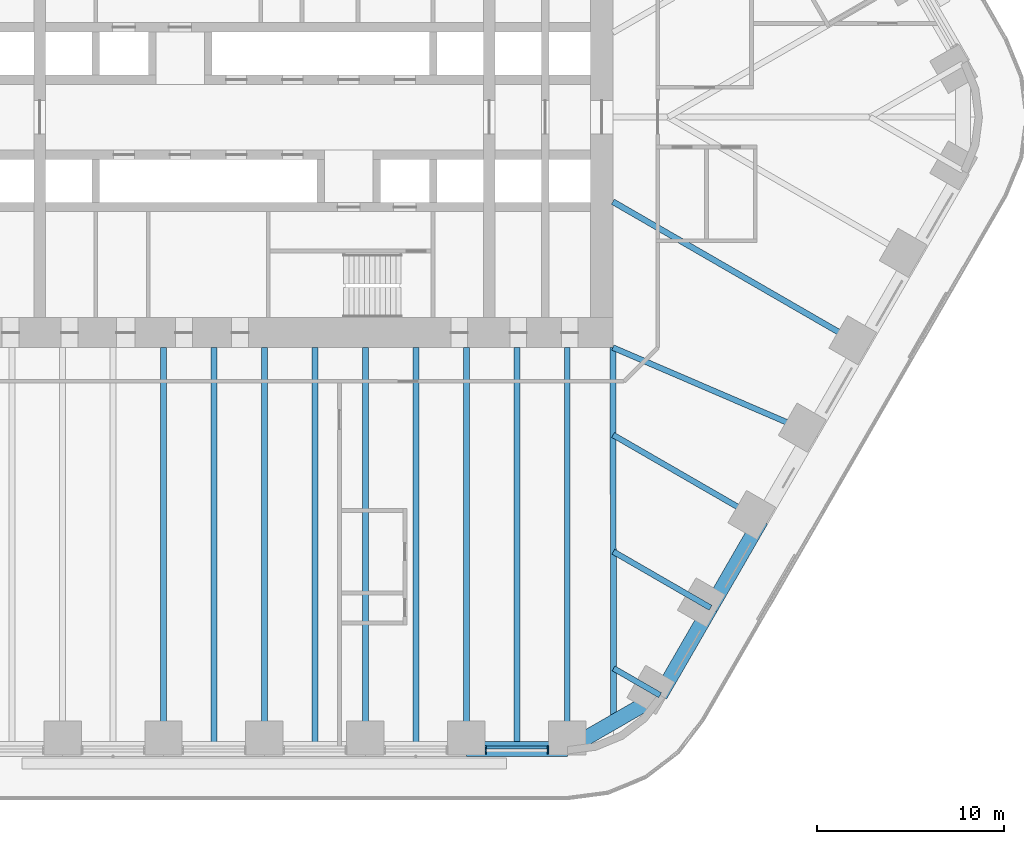
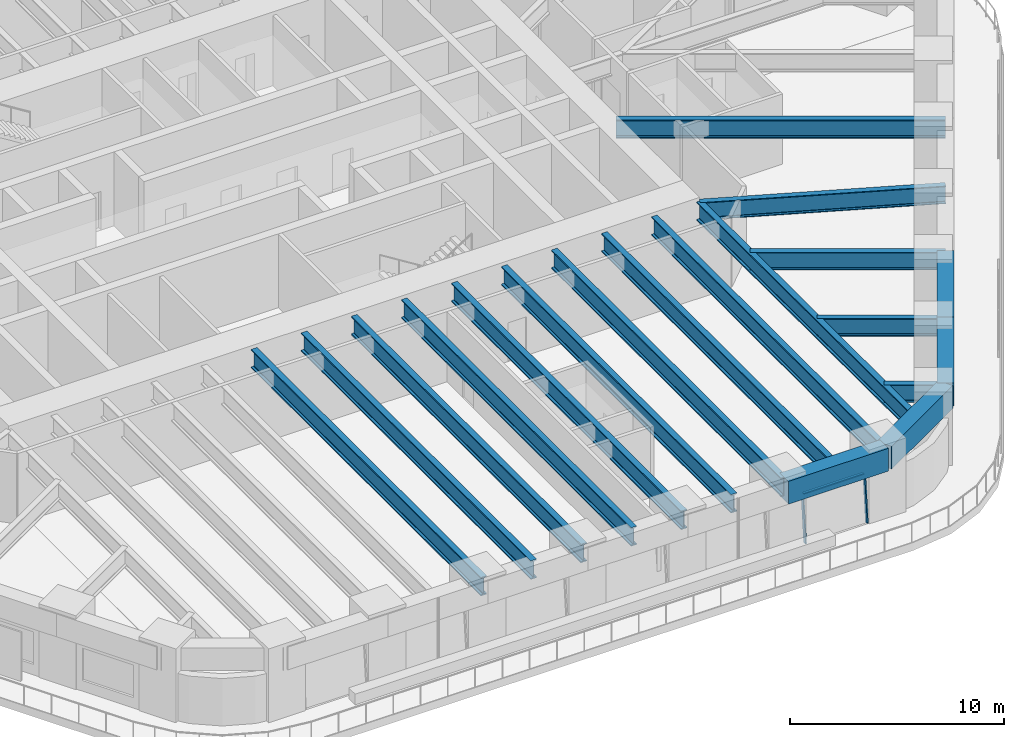
# One storey, part 5 of 23: 19 beams, 3 members, 1 element without a shape of its own.
"""IFC4 building model written with IfcOpenShell, lengths in metres."""

import ifcopenshell
import ifcopenshell.guid

model = None  # the IFC model being written
_history = None  # IfcOwnerHistory: only IFC2X3 demands one
_inside = {}  # id of a spatial element -> (the spatial element, [elements in it])
_under = {}  # id of a project, library or spatial element -> (it, [spatial elements below it])
_declared = {}  # id of a project -> (the project, [libraries it declares])
_typed = {}  # id of a type object -> (the type object, [elements of that type])
_made_of = {}  # id of a material, layer set ... -> (it, [elements and type objects made of it])


def new_model(schema):
    """Start an empty IFC model of exactly this schema.

    Asked for "IFC4X3", IfcOpenShell would pick the latest addendum, in which some entities
    have other attributes; the version numbers below select the first issue.
    IFC2X3 requires an IfcOwnerHistory on every rooted entity: one is made here for all.
    """
    global model, _history
    if schema == "IFC4X3":
        model = ifcopenshell.file(schema_version=(4, 3, 0, 0))
    else:
        model = ifcopenshell.file(schema=schema)
    _inside.clear()
    _under.clear()
    _declared.clear()
    _typed.clear()
    _made_of.clear()
    _history = None
    if model.schema == "IFC2X3":
        org = make("IfcOrganization", Name="unknown")
        user = make(
            "IfcPersonAndOrganization",
            ThePerson=make("IfcPerson", FamilyName="unknown"),
            TheOrganization=org,
        )
        app = make(
            "IfcApplication",
            ApplicationDeveloper=org,
            Version="unknown",
            ApplicationFullName="unknown",
            ApplicationIdentifier="unknown",
        )
        _history = make(
            "IfcOwnerHistory",
            OwningUser=user,
            OwningApplication=app,
            ChangeAction="ADDED",
            CreationDate=0,
        )
    return model


def make(cls, **values):
    """One entity of the class cls with the attributes given. An attribute that is None is left unset."""
    return model.create_entity(
        cls, **{name: value for name, value in values.items() if value is not None}
    )


def rooted(cls, **values):
    """An entity with a GlobalId (a new one), such as an element, a storey or a relation."""
    return make(cls, GlobalId=ifcopenshell.guid.new(), OwnerHistory=_history, **values)


def si_unit(unit_type, name, prefix=None):
    """IfcSIUnit, for example si_unit("LENGTHUNIT", "METRE", prefix="MILLI")."""
    return make("IfcSIUnit", UnitType=unit_type, Prefix=prefix, Name=name)


def assignment(units):
    """IfcUnitAssignment: the units of a project."""
    return None if units is None else make("IfcUnitAssignment", Units=units)


def point(xyz):
    """IfcCartesianPoint."""
    return None if xyz is None else make("IfcCartesianPoint", Coordinates=xyz)


def direction(xyz):
    """IfcDirection."""
    return None if xyz is None else make("IfcDirection", DirectionRatios=xyz)


def frame(location, z_axis=None, x_axis=None):
    """IfcAxis2Placement3D, a coordinate frame: its origin and axes. An axis left out is left unset."""
    return make(
        "IfcAxis2Placement3D",
        Location=point(location),
        Axis=direction(z_axis),
        RefDirection=direction(x_axis),
    )


def frame_2d(location, x_axis=None):
    """IfcAxis2Placement2D, a coordinate frame in the plane: its origin and x axis."""
    return make(
        "IfcAxis2Placement2D", Location=point(location), RefDirection=direction(x_axis)
    )


def origin():
    """The frame at (0, 0, 0) with its axes left unset."""
    return frame((0.0, 0.0, 0.0))


def origin_2d():
    """The frame at (0, 0) in the plane with its x axis left unset."""
    return frame_2d((0.0, 0.0))


def place(relative_to, where):
    """IfcLocalPlacement: puts the frame where relative to a parent placement (None: the world)."""
    return make(
        "IfcLocalPlacement", PlacementRelTo=relative_to, RelativePlacement=where
    )


def context(
    kind, dimensions, precision=None, world=None, true_north=None, identifier=None
):
    """IfcGeometricRepresentationContext, for example the 3D "Model" context."""
    return make(
        "IfcGeometricRepresentationContext",
        ContextIdentifier=identifier,
        ContextType=kind,
        CoordinateSpaceDimension=dimensions,
        Precision=precision,
        WorldCoordinateSystem=world,
        TrueNorth=true_north,
    )


def subcontext(parent, identifier, kind, view, scale=None):
    """IfcGeometricRepresentationSubContext, for example "Body" below "Model"."""
    return make(
        "IfcGeometricRepresentationSubContext",
        ContextIdentifier=identifier,
        ContextType=kind,
        ParentContext=parent,
        TargetScale=scale,
        TargetView=view,
    )


def project(units=None, contexts=None):
    """IfcProject with its units and contexts."""
    return rooted(
        "IfcProject",
        Name="project",
        RepresentationContexts=contexts,
        UnitsInContext=assignment(units),
    )


def spatial(cls, under=None, at=None, **own):
    """A site, building, storey or space (cls), placed at a placement, below another one or the project."""
    s = rooted(cls, ObjectPlacement=at, **own)
    if under is not None:
        _under.setdefault(under.id(), (under, []))[1].append(s)
    return s


def profile(cls, at=None, kind="AREA", **sizes):
    """A parametric profile (cls). Its sizes go by their IFC names, for example OverallWidth=200.0."""
    return make(cls, ProfileType=kind, Position=at, **sizes)


def rectangle(**sizes):
    """IfcRectangleProfileDef."""
    return profile("IfcRectangleProfileDef", **sizes)


def i_section(**sizes):
    """IfcIShapeProfileDef."""
    return profile("IfcIShapeProfileDef", **sizes)


def extrude(swept, where, along, depth):
    """IfcExtrudedAreaSolid: the profile swept, set in the frame where, extruded along a direction by depth."""
    return make(
        "IfcExtrudedAreaSolid",
        SweptArea=swept,
        Position=where,
        ExtrudedDirection=direction(along),
        Depth=depth,
    )


def shape(context_of_items, identifier, shape_type, items):
    """IfcShapeRepresentation: the items that make up one representation, for example the "Body"."""
    return make(
        "IfcShapeRepresentation",
        ContextOfItems=context_of_items,
        RepresentationIdentifier=identifier,
        RepresentationType=shape_type,
        Items=items,
    )


def material(Name=None, Category=None):
    """IfcMaterial."""
    return make("IfcMaterial", Name=Name, Category=Category)


def material_profile(
    of_material, cross_section, Name=None, Category=None, Priority=None
):
    """IfcMaterialProfile: a cross section and its material."""
    return make(
        "IfcMaterialProfile",
        Name=Name,
        Material=of_material,
        Profile=cross_section,
        Priority=Priority,
        Category=Category,
    )


def profile_set(profiles, Name=None, composite=None):
    """IfcMaterialProfileSet."""
    return make(
        "IfcMaterialProfileSet",
        Name=Name,
        MaterialProfiles=profiles,
        CompositeProfile=composite,
    )


def made_of(thing, what):
    """Note that an element or type object is made of a material, layer set ...; save() writes the relation."""
    if what is not None:
        _made_of.setdefault(what.id(), (what, []))[1].append(thing)
    return thing


def type_object(cls, material=None, **own):
    """A type object (cls), such as IfcWallType, which elements share."""
    return made_of(rooted(cls, **own), material)


def element(
    cls,
    number,
    at=None,
    inside=None,
    cuts=None,
    type_object=None,
    material=None,
    context=None,
    identifier="Body",
    shape_type=None,
    held_by="IfcProductDefinitionShape",
    body=None,
    shapes=None,
    **own,
):
    """One element of the class cls, such as IfcWall. Its Tag is "e" and its number.

    at: its placement. inside: the storey or other place that contains it. cuts: it is an
    opening in that element (IfcRelVoidsElement). A single representation is given by context,
    identifier, shape_type and body (its items); several are given by shapes. held_by: the class
    of the entity that holds the representations. save() writes the other relations.
    """
    e = rooted(cls, Tag="e%d" % number, ObjectPlacement=at, **own)
    if body is not None:
        shapes = [shape(context, identifier, shape_type, body)]
    if shapes is not None:
        e.Representation = make(held_by, Representations=shapes)
    if inside is not None:
        _inside.setdefault(inside.id(), (inside, []))[1].append(e)
    if cuts is not None:
        rooted(
            "IfcRelVoidsElement", RelatingBuildingElement=cuts, RelatedOpeningElement=e
        )
    if type_object is not None:
        _typed.setdefault(type_object.id(), (type_object, []))[1].append(e)
    return made_of(e, material)


def aggregate(whole, parts):
    """IfcRelAggregates: a whole, such as a stair, and the parts it consists of."""
    return rooted("IfcRelAggregates", RelatingObject=whole, RelatedObjects=parts)


def save(model, path):
    """Write the relations noted so far, then the file.

    IfcRelAggregates (storeys below a building ...), IfcRelContainedInSpatialStructure (elements
    in a storey), IfcRelDefinesByType, IfcRelAssociatesMaterial and IfcRelDeclares: one each for
    every whole, place, type object, material and project.
    """
    for whole, parts in _under.values():
        aggregate(whole, parts)
    for where, things in _inside.values():
        rooted(
            "IfcRelContainedInSpatialStructure",
            RelatedElements=things,
            RelatingStructure=where,
        )
    for kind, things in _typed.values():
        rooted("IfcRelDefinesByType", RelatedObjects=things, RelatingType=kind)
    for what, things in _made_of.values():
        rooted("IfcRelAssociatesMaterial", RelatedObjects=things, RelatingMaterial=what)
    for by, libraries in _declared.values():
        rooted("IfcRelDeclares", RelatingContext=by, RelatedDefinitions=libraries)
    model.write(path)


model = new_model("IFC4")

# Units and contexts
model_context = context("Model", 3, precision=1e-05, world=origin(), true_north=direction((0.0, 1.0)))
body_context = subcontext(model_context, "Body", "Model", "MODEL_VIEW")
ifc_project = project(units=[si_unit("LENGTHUNIT", "METRE"), si_unit("AREAUNIT", "SQUARE_METRE"), si_unit("VOLUMEUNIT", "CUBIC_METRE"), si_unit("PLANEANGLEUNIT", "RADIAN"), si_unit("MASSUNIT", "GRAM", prefix="KILO")], contexts=[model_context])

# Site, building, storey
site_placement = place(None, origin())
site = spatial("IfcSite", under=ifc_project, at=site_placement, CompositionType="ELEMENT")
building_placement = place(site_placement, origin())
building = spatial("IfcBuilding", under=site, at=building_placement, Name="Tarfa Lantern Tower", CompositionType="ELEMENT")
storey_placement = place(building_placement, frame((0.0, 0.0, 44.5)))
storey = spatial("IfcBuildingStorey", under=building, at=storey_placement, Name="L09", CompositionType="ELEMENT", Elevation=44.5)

# Curtain wall, members
ifc_material_1 = material(Name="Aluminium framed curtain wall", Category="aluminium")
curtain_wall_type = type_object("IfcCurtainWallType", Name="CW1 CANTED GLAZING LOW ZONE 2700", PredefinedType="USERDEFINED", material=ifc_material_1)
curtain_wall_placement = place(storey_placement, origin())
curtain_wall = element("IfcCurtainWall", 1, at=curtain_wall_placement, inside=storey, type_object=curtain_wall_type, Name="CW1 S L09", ObjectType="CURTAIN WALL", PredefinedType="USERDEFINED")
ifc_material_2 = material(Name="Aluminium mullion", Category="aluminium")
ifc_material_profile_1 = material_profile(ifc_material_2, rectangle(XDim=0.06494140625, YDim=0.199951171875, at=origin_2d()), Name="AL MULLION 65x200")
ifc_profile_set_1 = profile_set([ifc_material_profile_1], Name="Aluminium mullion")
member_type_1 = type_object("IfcMemberType", Name="CWM1 MULLION 65x200", PredefinedType="MULLION", material=ifc_profile_set_1)
member_1_placement = place(storey_placement, frame((11.809814453125, -33.89990234375, 0.0), z_axis=(0.0, 0.092199863775, 0.995740520979), x_axis=(-1.0, 0.0, 0.0)))
member_1 = element("IfcMember", 2, at=member_1_placement, type_object=member_type_1, Name="CW1 mullion 1", PredefinedType="MULLION", context=body_context, shape_type="SweptSolid", body=[
    extrude(rectangle(XDim=0.06494140625, YDim=0.199951171875, at=origin_2d()), origin(), (0.0, 0.0, 1.0), 2.71142578125),
])
member_2_placement = place(storey_placement, frame((15.13330078125, -33.89990234375, 0.0), z_axis=(0.0, 0.092199863775, 0.995740520979), x_axis=(-1.0, 0.0, 0.0)))
member_2 = element("IfcMember", 3, at=member_2_placement, type_object=member_type_1, Name="CW1 mullion 2", PredefinedType="MULLION", context=body_context, shape_type="SweptSolid", body=[
    extrude(rectangle(XDim=0.06494140625, YDim=0.199951171875, at=origin_2d()), origin(), (0.0, 0.0, 1.0), 2.71142578125),
])
ifc_material_3 = material(Name="Aluminium transom", Category="aluminium")
ifc_material_profile_2 = material_profile(ifc_material_3, rectangle(XDim=0.14990234375, YDim=0.06494140625, at=origin_2d()), Name="AL TRANSOM 150x65")
ifc_profile_set_2 = profile_set([ifc_material_profile_2], Name="Aluminium transom")
member_type_2 = type_object("IfcMemberType", Name="CWT1 TRANSOM 150x65", PredefinedType="USERDEFINED", material=ifc_profile_set_2)
member_3_placement = place(storey_placement, frame((11.84228515625, -33.653076171875, 2.66748046875), z_axis=(1.0, 0.0, 0.0), x_axis=(0.0, 1.0, 0.0)))
member_3 = element("IfcMember", 4, at=member_3_placement, type_object=member_type_2, Name="CW1 transom 1.2", ObjectType="TRANSOM", PredefinedType="USERDEFINED", context=body_context, shape_type="SweptSolid", body=[
    extrude(rectangle(XDim=0.14990234375, YDim=0.06494140625, at=origin_2d()), origin(), (0.0, 0.0, 1.0), 3.258544921875),
])
aggregate(curtain_wall, [member_1, member_2, member_3])

# Beams
ifc_material_4 = material(Name="Concrete C80/95", Category="concrete")
ifc_material_profile_3 = material_profile(ifc_material_4, rectangle(XDim=0.800048828125, YDim=1.300048828125, at=origin_2d()), Name="RC 800x1300")
ifc_profile_set_3 = profile_set([ifc_material_profile_3], Name="Concrete C80/95")
beam_type_1 = type_object("IfcBeamType", Name="EB1 RC 800x1300", PredefinedType="SPANDREL", material=ifc_profile_set_3)
beam_1_placement = place(storey_placement, frame((10.777099609375, -33.719970703125, 3.35009765625), z_axis=(1.0, 0.0, 0.0), x_axis=(0.0, 1.0, 0.0)))
element("IfcBeam", 5, at=beam_1_placement, inside=storey, type_object=beam_type_1, Name="Edge beam S5", PredefinedType="SPANDREL", context=body_context, shape_type="SweptSolid", body=[
    extrude(rectangle(XDim=0.800048828125, YDim=1.300048828125, at=origin_2d()), origin(), (0.0, 0.0, 1.0), 5.388671875),
])
beam_2_placement = place(storey_placement, frame((16.165771484375, -33.719970703125, 3.35009765625), z_axis=(0.866033479681, 0.499986011877, 0.0), x_axis=(-0.499986011877, 0.866033479681, 0.0)))
element("IfcBeam", 6, at=beam_2_placement, inside=storey, type_object=beam_type_1, Name="Edge beam S6", PredefinedType="SPANDREL", context=body_context, shape_type="SweptSolid", body=[
    extrude(rectangle(XDim=0.800048828125, YDim=1.300048828125, at=origin_2d()), origin(), (0.0, 0.0, 1.0), 5.719970703125),
])
for number, where, z_axis, x_axis, name in (
    (7, (21.119384765625, -30.860107421875, 3.35009765625), (0.499998287579, 0.866026392449, 0.0), (-0.866026392449, 0.499998287579, 0.0), "Edge beam SE0"),
    (8, (23.813720703125, -26.193359375, 3.35009765625), (0.499998287579, 0.866026392449, 0.0), (-0.866026392449, 0.499998287579, 0.0), "Edge beam SE1"),
):
    element("IfcBeam", number, at=place(storey_placement, frame(where, z_axis=z_axis, x_axis=x_axis)), inside=storey, type_object=beam_type_1, Name=name, PredefinedType="SPANDREL", context=body_context, shape_type="SweptSolid", body=[
        extrude(rectangle(XDim=0.800048828125, YDim=1.300048828125, at=origin_2d()), origin(), (0.0, 0.0, 1.0), 5.388671875),
    ])
ifc_material_5 = material(Name="Steel S460M", Category="steel")
ifc_material_profile_4 = material_profile(ifc_material_5, i_section(OverallWidth=0.302001953125, OverallDepth=1.008056640625, WebThickness=0.02099609375, FlangeThickness=0.0400390625, FilletRadius=0.030029296875, at=origin_2d()), Name="UB1016x305x349")
ifc_profile_set_4 = profile_set([ifc_material_profile_4], Name="Steel S460M")
beam_type_2 = type_object("IfcBeamType", Name="UB1016x305x349", PredefinedType="BEAM", material=ifc_profile_set_4)
beam_3_placement = place(storey_placement, frame((21.119384765625, -30.860107421875, 3.495849609375), z_axis=(-0.866012580594, 0.500022209759, 0.0), x_axis=(-0.500022209759, -0.866012580594, 0.0)))
element("IfcBeam", 9, at=beam_3_placement, inside=storey, type_object=beam_type_2, Name="Floor beam SE0", PredefinedType="BEAM", context=body_context, shape_type="SweptSolid", body=[
    extrude(i_section(OverallWidth=0.302001953125, OverallDepth=1.008056640625, WebThickness=0.02099609375, FlangeThickness=0.0400390625, FilletRadius=0.030029296875, at=origin_2d()), origin(), (0.0, 0.0, 1.0), 2.866943359375),
])
beam_4_placement = place(storey_placement, frame((23.813720703125, -26.193359375, 3.495849609375), z_axis=(-0.866015997389, 0.500016292001, 0.0), x_axis=(-0.500016292001, -0.866015997389, 0.0)))
element("IfcBeam", 10, at=beam_4_placement, inside=storey, type_object=beam_type_2, Name="Floor beam SE1", PredefinedType="BEAM", context=body_context, shape_type="SweptSolid", body=[
    extrude(i_section(OverallWidth=0.302001953125, OverallDepth=1.008056640625, WebThickness=0.02099609375, FlangeThickness=0.0400390625, FilletRadius=0.030029296875, at=origin_2d()), origin(), (0.0, 0.0, 1.0), 5.993408203125),
])
beam_5_placement = place(storey_placement, frame((26.508056640625, -21.526611328125, 3.495849609375), z_axis=(-0.866035355799, 0.49998276221, 0.0), x_axis=(-0.49998276221, -0.866035355799, 0.0)))
element("IfcBeam", 11, at=beam_5_placement, inside=storey, type_object=beam_type_2, Name="Floor beam SE2", PredefinedType="BEAM", context=body_context, shape_type="SweptSolid", body=[
    extrude(i_section(OverallWidth=0.302001953125, OverallDepth=1.008056640625, WebThickness=0.02099609375, FlangeThickness=0.0400390625, FilletRadius=0.030029296875, at=origin_2d()), origin(), (0.0, 0.0, 1.0), 9.119873046875),
])
beam_6_placement = place(storey_placement, frame((29.202392578125, -16.860107421875, 3.495849609375), z_axis=(-0.918635483867, 0.395106122175, 0.0), x_axis=(-0.395106122175, -0.918635483867, 0.0)))
element("IfcBeam", 12, at=beam_6_placement, inside=storey, type_object=beam_type_2, Name="Floor beam SE3", PredefinedType="BEAM", context=body_context, shape_type="SweptSolid", body=[
    extrude(i_section(OverallWidth=0.302001953125, OverallDepth=1.008056640625, WebThickness=0.02099609375, FlangeThickness=0.0400390625, FilletRadius=0.030029296875, at=origin_2d()), origin(), (0.0, 0.0, 1.0), 11.541259765625),
])
ifc_material_profile_5 = material_profile(ifc_material_5, i_section(OverallWidth=0.314208984375, OverallDepth=1.055908203125, WebThickness=0.035888671875, FlangeThickness=0.06396484375, FilletRadius=0.030029296875, at=origin_2d()), Name="UB1016x305x584")
ifc_profile_set_5 = profile_set([ifc_material_profile_5], Name="Steel S460M")
beam_type_3 = type_object("IfcBeamType", Name="UB1016x305x584", PredefinedType="BEAM", material=ifc_profile_set_5)
beam_7_placement = place(storey_placement, frame((18.60009765625, -12.300048828125, 3.471923828125), z_axis=(0.00212508222, -0.99999774201, 0.0), x_axis=(0.99999774201, 0.00212508222, 0.0)))
element("IfcBeam", 13, at=beam_7_placement, inside=storey, type_object=beam_type_3, Name="Hip girder SE", PredefinedType="BEAM", context=body_context, shape_type="SweptSolid", body=[
    extrude(i_section(OverallWidth=0.314208984375, OverallDepth=1.055908203125, WebThickness=0.035888671875, FlangeThickness=0.06396484375, FilletRadius=0.030029296875, at=origin_2d()), origin(), (0.0, 0.0, 1.0), 19.989990234375),
])
for number, where, z_axis, x_axis, name in (
    (14, (-5.388671875, -33.719970703125, 3.471923828125), (0.0, 1.0, 0.0), (-1.0, 0.0, 0.0), "Floor beam S2"),
    (15, (0.0, -33.719970703125, 3.471923828125), (0.0, 1.0, 0.0), (-1.0, 0.0, 0.0), "Floor beam S3"),
    (16, (5.388671875, -33.719970703125, 3.471923828125), (0.0, 1.0, 0.0), (-1.0, 0.0, 0.0), "Floor beam S4"),
    (17, (10.777099609375, -33.719970703125, 3.471923828125), (0.0, 1.0, 0.0), (-1.0, 0.0, 0.0), "Floor beam S5"),
    (18, (16.165771484375, -33.719970703125, 3.471923828125), (0.0, 1.0, 0.0), (-1.0, 0.0, 0.0), "Floor beam S6"),
):
    element("IfcBeam", number, at=place(storey_placement, frame(where, z_axis=z_axis, x_axis=x_axis)), inside=storey, type_object=beam_type_3, Name=name, PredefinedType="BEAM", context=body_context, shape_type="SweptSolid", body=[
        extrude(i_section(OverallWidth=0.314208984375, OverallDepth=1.055908203125, WebThickness=0.035888671875, FlangeThickness=0.06396484375, FilletRadius=0.030029296875, at=origin_2d()), origin(), (0.0, 0.0, 1.0), 21.419921875),
    ])
beam_8_placement = place(storey_placement, frame((31.896728515625, -12.193359375, 3.471923828125), z_axis=(-0.866026971665, 0.499997284341, 0.0), x_axis=(-0.499997284341, -0.866026971665, 0.0)))
element("IfcBeam", 19, at=beam_8_placement, inside=storey, type_object=beam_type_3, Name="Floor beam SE4", PredefinedType="BEAM", context=body_context, shape_type="SweptSolid", body=[
    extrude(i_section(OverallWidth=0.314208984375, OverallDepth=1.055908203125, WebThickness=0.035888671875, FlangeThickness=0.06396484375, FilletRadius=0.030029296875, at=origin_2d()), origin(), (0.0, 0.0, 1.0), 15.353515625),
])
for number, where, z_axis, x_axis, name in (
    (20, (-2.6943359375, -33.719970703125, 3.471923828125), (0.0, 1.0, 0.0), (-1.0, 0.0, 0.0), "Floor beam S2M"),
    (21, (2.6943359375, -33.719970703125, 3.471923828125), (0.0, 1.0, 0.0), (-1.0, 0.0, 0.0), "Floor beam S3M"),
    (22, (8.0830078125, -33.719970703125, 3.471923828125), (0.0, 1.0, 0.0), (-1.0, 0.0, 0.0), "Floor beam S4M"),
    (23, (13.471435546875, -33.719970703125, 3.471923828125), (0.0, 1.0, 0.0), (-1.0, 0.0, 0.0), "Floor beam S5M"),
):
    element("IfcBeam", number, at=place(storey_placement, frame(where, z_axis=z_axis, x_axis=x_axis)), inside=storey, type_object=beam_type_3, Name=name, PredefinedType="BEAM", context=body_context, shape_type="SweptSolid", body=[
        extrude(i_section(OverallWidth=0.314208984375, OverallDepth=1.055908203125, WebThickness=0.035888671875, FlangeThickness=0.06396484375, FilletRadius=0.030029296875, at=origin_2d()), origin(), (0.0, 0.0, 1.0), 21.419921875),
    ])

save(model, "model.ifc")
